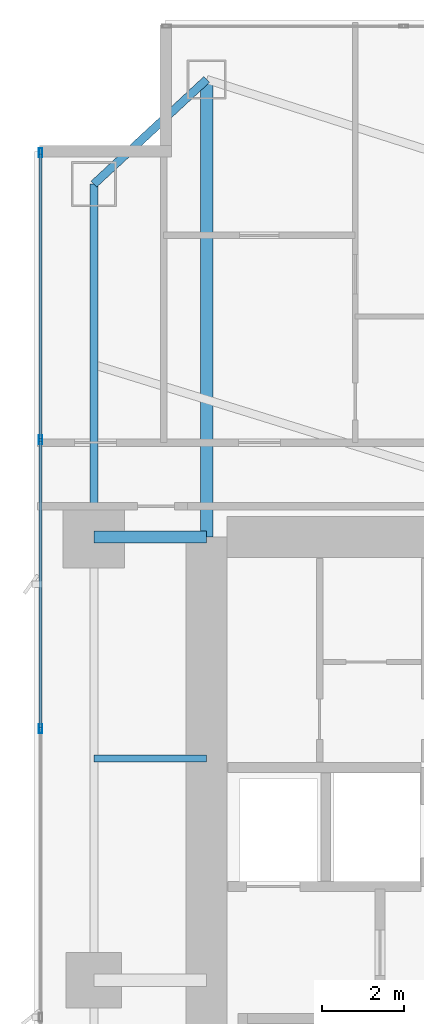
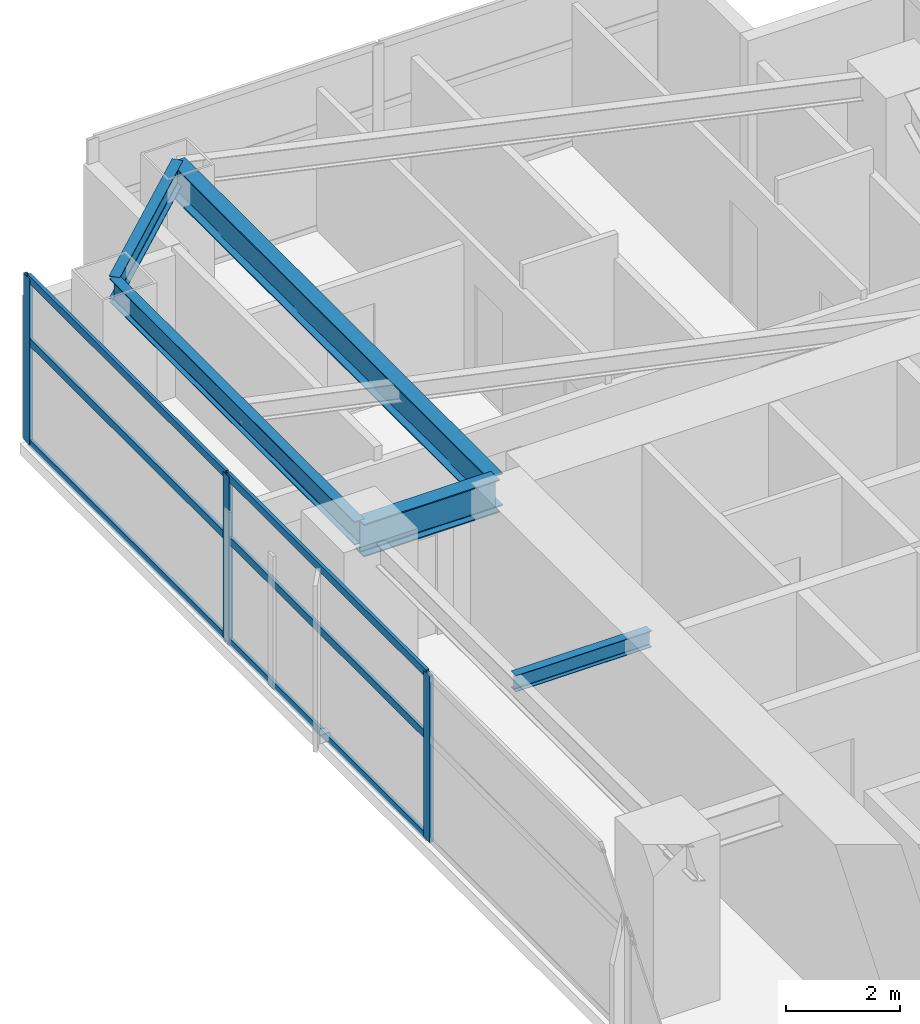
# One storey, part 16 of 30: 9 members, 5 beams, 1 element without a shape of its own.
"""IFC4 building model written with IfcOpenShell, lengths in metres."""

from ifc_helpers import new_model, si_unit, direction, frame, origin, origin_2d, place, context, subcontext, project, spatial, hollow_rectangle, i_section, extrude, material, layer, layer_set, material_profile, profile_set, type_object, element, aggregate, save


model = new_model("IFC4")

# Units and contexts
model_context = context("Model", 3, precision=1e-05, world=origin(), true_north=direction((0.0, 1.0)))
body_context = subcontext(model_context, "Body", "Model", "MODEL_VIEW")
ifc_project = project(units=[si_unit("LENGTHUNIT", "METRE"), si_unit("AREAUNIT", "SQUARE_METRE"), si_unit("VOLUMEUNIT", "CUBIC_METRE"), si_unit("PLANEANGLEUNIT", "RADIAN"), si_unit("MASSUNIT", "GRAM", prefix="KILO")], contexts=[model_context])

# Site, building, storey
site_placement = place(None, origin())
site = spatial("IfcSite", under=ifc_project, at=site_placement, CompositionType="ELEMENT")
building_placement = place(site_placement, origin())
building = spatial("IfcBuilding", under=site, at=building_placement, Name="Calvorn Quay Hotel", CompositionType="ELEMENT")
storey_placement = place(building_placement, frame((0.0, 0.0, 50.800048828125)))
storey = spatial("IfcBuildingStorey", under=building, at=storey_placement, Name="L11", CompositionType="ELEMENT", Elevation=50.800048828125)

# Beams
ifc_material_1 = material(Name="Steel Q390GJC", Category="steel")
ifc_material_profile_1 = material_profile(ifc_material_1, i_section(OverallWidth=0.300048828125, OverallDepth=0.699951171875, WebThickness=0.012939453125, FlangeThickness=0.02392578125, FilletRadius=0.02392578125, at=origin_2d()), Name="HN700x300x13x24")
ifc_profile_set_1 = profile_set([ifc_material_profile_1], Name="Steel Q390GJC")
beam_type_1 = type_object("IfcBeamType", Name="BM-GIRD-MAIN", PredefinedType="BEAM", material=ifc_profile_set_1)
beam_1_placement = place(storey_placement, frame((1.449951171875, 38.39990234375, 3.18994140625), z_axis=(1.0, 0.0, 0.0), x_axis=(0.0, 1.0, 0.0)))
element("IfcBeam", 1, at=beam_1_placement, inside=storey, type_object=beam_type_1, Name="Beam BG-L11-W3", PredefinedType="BEAM", context=body_context, shape_type="SweptSolid", body=[
    extrude(i_section(OverallWidth=0.300048828125, OverallDepth=0.699951171875, WebThickness=0.012939453125, FlangeThickness=0.02392578125, FilletRadius=0.02392578125, at=origin_2d()), origin(), (0.0, 0.0, 1.0), 2.75),
])
beam_2_placement = place(storey_placement, frame((4.199951171875, 49.550048828125, 3.18994140625), z_axis=(0.0, -1.0, 0.0), x_axis=(1.0, 0.0, 0.0)))
element("IfcBeam", 2, at=beam_2_placement, inside=storey, type_object=beam_type_1, Name="Beam BG-L11-W5", PredefinedType="BEAM", context=body_context, shape_type="SweptSolid", body=[
    extrude(i_section(OverallWidth=0.300048828125, OverallDepth=0.699951171875, WebThickness=0.012939453125, FlangeThickness=0.02392578125, FilletRadius=0.02392578125, at=origin_2d()), origin(), (0.0, 0.0, 1.0), 11.150146484375),
])
ifc_material_2 = material(Name="Steel Q355B", Category="steel")
ifc_material_profile_2 = material_profile(ifc_material_2, i_section(OverallWidth=0.175048828125, OverallDepth=0.35009765625, WebThickness=0.007080078125, FlangeThickness=0.010986328125, FilletRadius=0.013916015625, at=origin_2d()), Name="HN350x175x7x11")
ifc_profile_set_2 = profile_set([ifc_material_profile_2], Name="Steel Q355B")
beam_type_2 = type_object("IfcBeamType", Name="BM-JOIST-SEC", PredefinedType="JOIST", material=ifc_profile_set_2)
beam_3_placement = place(storey_placement, frame((1.449951171875, 33.0, 3.364990234375), z_axis=(1.0, 0.0, 0.0), x_axis=(0.0, 1.0, 0.0)))
element("IfcBeam", 3, at=beam_3_placement, inside=storey, type_object=beam_type_2, Name="Beam BJ-L11-W4", PredefinedType="JOIST", context=body_context, shape_type="SweptSolid", body=[
    extrude(i_section(OverallWidth=0.175048828125, OverallDepth=0.35009765625, WebThickness=0.007080078125, FlangeThickness=0.010986328125, FilletRadius=0.013916015625, at=origin_2d()), origin(), (0.0, 0.0, 1.0), 2.75),
])
ifc_material_3 = material(Name="Steel Q355B", Category="steel")
ifc_material_profile_3 = material_profile(ifc_material_3, i_section(OverallWidth=0.199951171875, OverallDepth=0.5, WebThickness=0.010009765625, FlangeThickness=0.01611328125, FilletRadius=0.01611328125, at=origin_2d()), Name="HN500x200x10x16")
ifc_profile_set_3 = profile_set([ifc_material_profile_3], Name="Steel Q355B")
beam_type_3 = type_object("IfcBeamType", Name="BM-SPANDREL-Z1", PredefinedType="SPANDREL", material=ifc_profile_set_3)
beam_4_placement = place(storey_placement, frame((1.449951171875, 38.39990234375, 3.2900390625), z_axis=(0.0, 1.0, 0.0), x_axis=(-1.0, 0.0, 0.0)))
element("IfcBeam", 4, at=beam_4_placement, inside=storey, type_object=beam_type_3, Name="Beam BSP-L11-W4", PredefinedType="SPANDREL", context=body_context, shape_type="SweptSolid", body=[
    extrude(i_section(OverallWidth=0.199951171875, OverallDepth=0.5, WebThickness=0.010009765625, FlangeThickness=0.01611328125, FilletRadius=0.01611328125, at=origin_2d()), origin(), (0.0, 0.0, 1.0), 8.60009765625),
])
beam_5_placement = place(storey_placement, frame((1.449951171875, 47.0, 3.2900390625), z_axis=(0.733261665538, 0.679946563969, 0.0), x_axis=(-0.679946563969, 0.733261665538, 0.0)))
element("IfcBeam", 5, at=beam_5_placement, inside=storey, type_object=beam_type_3, Name="Beam BSP-L11-W5", PredefinedType="SPANDREL", context=body_context, shape_type="SweptSolid", body=[
    extrude(i_section(OverallWidth=0.199951171875, OverallDepth=0.5, WebThickness=0.010009765625, FlangeThickness=0.01611328125, FilletRadius=0.01611328125, at=origin_2d()), origin(), (0.0, 0.0, 1.0), 3.75048828125),
])

# Curtain wall, members
ifc_material_4 = material(Name="Pale Anodised Aluminium and Low-E Glass", Category="aluminium")
ifc_layer = layer(ifc_material_4, 0.219970703125)
ifc_layer_set = layer_set([ifc_layer], Name="CW-SYS-Z1")
curtain_wall_type = type_object("IfcCurtainWallType", Name="CW-SYS-Z1", PredefinedType="NOTDEFINED", material=ifc_layer_set)
curtain_wall_placement = place(storey_placement, origin())
curtain_wall = element("IfcCurtainWall", 6, at=curtain_wall_placement, inside=storey, type_object=curtain_wall_type, Name="Tower West Curtain Wall (L11)", PredefinedType="NOTDEFINED")
ifc_material_5 = material(Name="Pale Anodised Aluminium 6063-T6", Category="aluminium")
ifc_material_profile_4 = material_profile(ifc_material_5, hollow_rectangle(XDim=0.074951171875, YDim=0.219970703125, WallThickness=0.00439453125, at=origin_2d()), Name="ALU-M220x75x4.5")
ifc_profile_set_4 = profile_set([ifc_material_profile_4], Name="Pale Anodised Aluminium 6063-T6")
member_type_1 = type_object("IfcMemberType", Name="CW-SYS-Z1-MUL", PredefinedType="MULLION", material=ifc_profile_set_4)
member_1_placement = place(storey_placement, frame((0.14990234375, 33.7333984375, 0.0), z_axis=(0.0, 0.0, 1.0), x_axis=(-1.0, 0.0, 0.0)))
member_1 = element("IfcMember", 7, at=member_1_placement, type_object=member_type_1, Name="CW-L11-W mullion 5", PredefinedType="MULLION", context=body_context, shape_type="SweptSolid", body=[
    extrude(hollow_rectangle(XDim=0.074951171875, YDim=0.219970703125, WallThickness=0.00439453125, at=origin_2d()), origin(), (0.0, 0.0, 1.0), 3.56005859375),
])
member_2_placement = place(storey_placement, frame((0.14990234375, 40.7666015625, 0.0), z_axis=(0.0, 0.0, 1.0), x_axis=(-1.0, 0.0, 0.0)))
member_2 = element("IfcMember", 8, at=member_2_placement, type_object=member_type_1, Name="CW-L11-W mullion 6", PredefinedType="MULLION", context=body_context, shape_type="SweptSolid", body=[
    extrude(hollow_rectangle(XDim=0.074951171875, YDim=0.219970703125, WallThickness=0.00439453125, at=origin_2d()), origin(), (0.0, 0.0, 1.0), 3.56005859375),
])
member_3_placement = place(storey_placement, frame((0.14990234375, 47.77001953125, 0.0), z_axis=(0.0, 0.0, 1.0), x_axis=(-1.0, 0.0, 0.0)))
member_3 = element("IfcMember", 9, at=member_3_placement, type_object=member_type_1, Name="CW-L11-W mullion 7", PredefinedType="MULLION", context=body_context, shape_type="SweptSolid", body=[
    extrude(hollow_rectangle(XDim=0.074951171875, YDim=0.219970703125, WallThickness=0.00439453125, at=origin_2d()), origin(), (0.0, 0.0, 1.0), 3.56005859375),
])
ifc_material_6 = material(Name="Pale Anodised Aluminium 6063-T6", Category="aluminium")
ifc_material_profile_5 = material_profile(ifc_material_6, hollow_rectangle(XDim=0.06494140625, YDim=0.1650390625, WallThickness=0.00341796875, at=origin_2d()), Name="ALU-T165x65x3.5")
ifc_profile_set_5 = profile_set([ifc_material_profile_5], Name="Pale Anodised Aluminium 6063-T6")
member_type_2 = type_object("IfcMemberType", Name="CW-SYS-Z1-TRN", PredefinedType="USERDEFINED", material=ifc_profile_set_5)
member_4_placement = place(storey_placement, frame((0.14990234375, 33.763427734375, 0.030029296875), z_axis=(0.0, 1.0, 0.0), x_axis=(-1.0, 0.0, 0.0)))
member_4 = element("IfcMember", 10, at=member_4_placement, type_object=member_type_2, Name="CW-L11-W transom 5.1", ObjectType="TRANSOM", PredefinedType="USERDEFINED", context=body_context, shape_type="SweptSolid", body=[
    extrude(hollow_rectangle(XDim=0.06494140625, YDim=0.1650390625, WallThickness=0.00341796875, at=origin_2d()), origin(), (0.0, 0.0, 1.0), 6.97314453125),
])
member_5_placement = place(storey_placement, frame((0.14990234375, 33.763427734375, 2.199951171875), z_axis=(0.0, 1.0, 0.0), x_axis=(-1.0, 0.0, 0.0)))
member_5 = element("IfcMember", 11, at=member_5_placement, type_object=member_type_2, Name="CW-L11-W transom 5.2", ObjectType="TRANSOM", PredefinedType="USERDEFINED", context=body_context, shape_type="SweptSolid", body=[
    extrude(hollow_rectangle(XDim=0.06494140625, YDim=0.1650390625, WallThickness=0.00341796875, at=origin_2d()), origin(), (0.0, 0.0, 1.0), 6.97314453125),
])
member_6_placement = place(storey_placement, frame((0.14990234375, 33.763427734375, 3.530029296875), z_axis=(0.0, 1.0, 0.0), x_axis=(-1.0, 0.0, 0.0)))
member_6 = element("IfcMember", 12, at=member_6_placement, type_object=member_type_2, Name="CW-L11-W transom 5.3", ObjectType="TRANSOM", PredefinedType="USERDEFINED", context=body_context, shape_type="SweptSolid", body=[
    extrude(hollow_rectangle(XDim=0.06494140625, YDim=0.1650390625, WallThickness=0.00341796875, at=origin_2d()), origin(), (0.0, 0.0, 1.0), 6.97314453125),
])
member_7_placement = place(storey_placement, frame((0.14990234375, 40.796630859375, 0.030029296875), z_axis=(0.0, 1.0, 0.0), x_axis=(-1.0, 0.0, 0.0)))
member_7 = element("IfcMember", 13, at=member_7_placement, type_object=member_type_2, Name="CW-L11-W transom 6.1", ObjectType="TRANSOM", PredefinedType="USERDEFINED", context=body_context, shape_type="SweptSolid", body=[
    extrude(hollow_rectangle(XDim=0.06494140625, YDim=0.1650390625, WallThickness=0.00341796875, at=origin_2d()), origin(), (0.0, 0.0, 1.0), 6.943359375),
])
member_8_placement = place(storey_placement, frame((0.14990234375, 40.796630859375, 2.199951171875), z_axis=(0.0, 1.0, 0.0), x_axis=(-1.0, 0.0, 0.0)))
member_8 = element("IfcMember", 14, at=member_8_placement, type_object=member_type_2, Name="CW-L11-W transom 6.2", ObjectType="TRANSOM", PredefinedType="USERDEFINED", context=body_context, shape_type="SweptSolid", body=[
    extrude(hollow_rectangle(XDim=0.06494140625, YDim=0.1650390625, WallThickness=0.00341796875, at=origin_2d()), origin(), (0.0, 0.0, 1.0), 6.943359375),
])
member_9_placement = place(storey_placement, frame((0.14990234375, 40.796630859375, 3.530029296875), z_axis=(0.0, 1.0, 0.0), x_axis=(-1.0, 0.0, 0.0)))
member_9 = element("IfcMember", 15, at=member_9_placement, type_object=member_type_2, Name="CW-L11-W transom 6.3", ObjectType="TRANSOM", PredefinedType="USERDEFINED", context=body_context, shape_type="SweptSolid", body=[
    extrude(hollow_rectangle(XDim=0.06494140625, YDim=0.1650390625, WallThickness=0.00341796875, at=origin_2d()), origin(), (0.0, 0.0, 1.0), 6.943359375),
])
aggregate(curtain_wall, [member_1, member_2, member_3, member_4, member_5, member_6, member_7, member_8, member_9])

save(model, "model.ifc")
